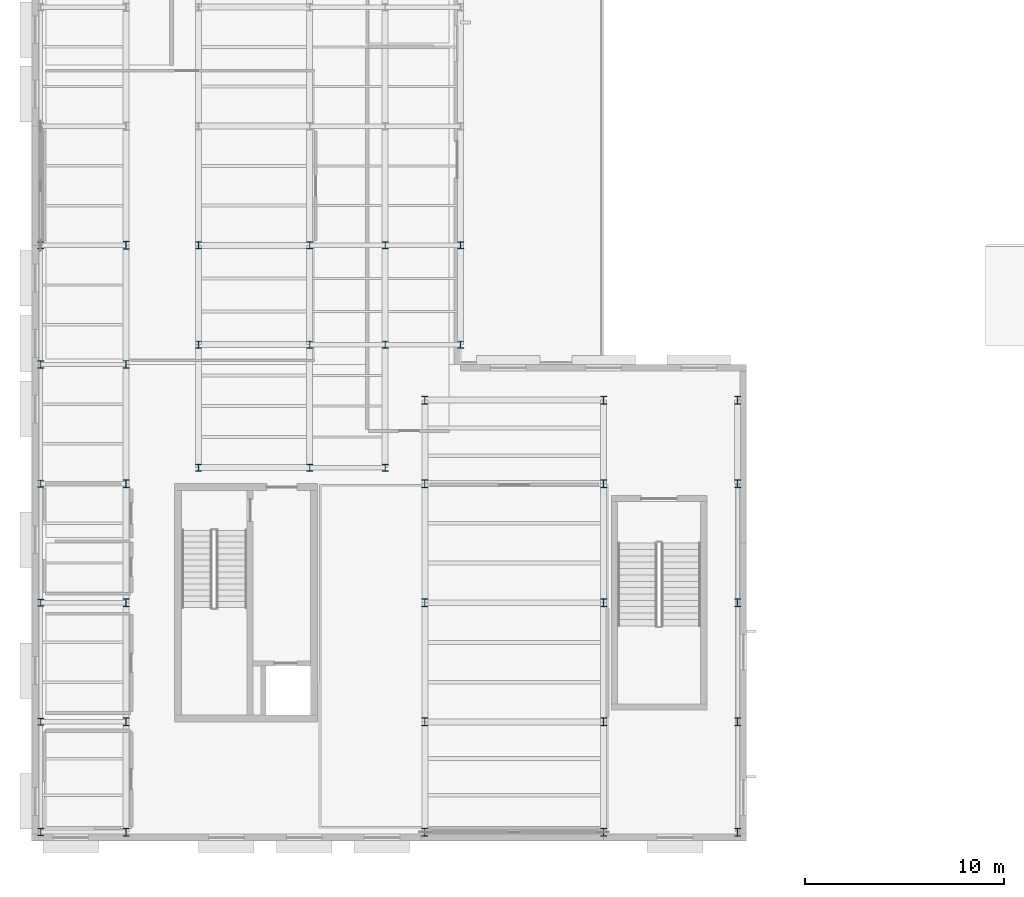
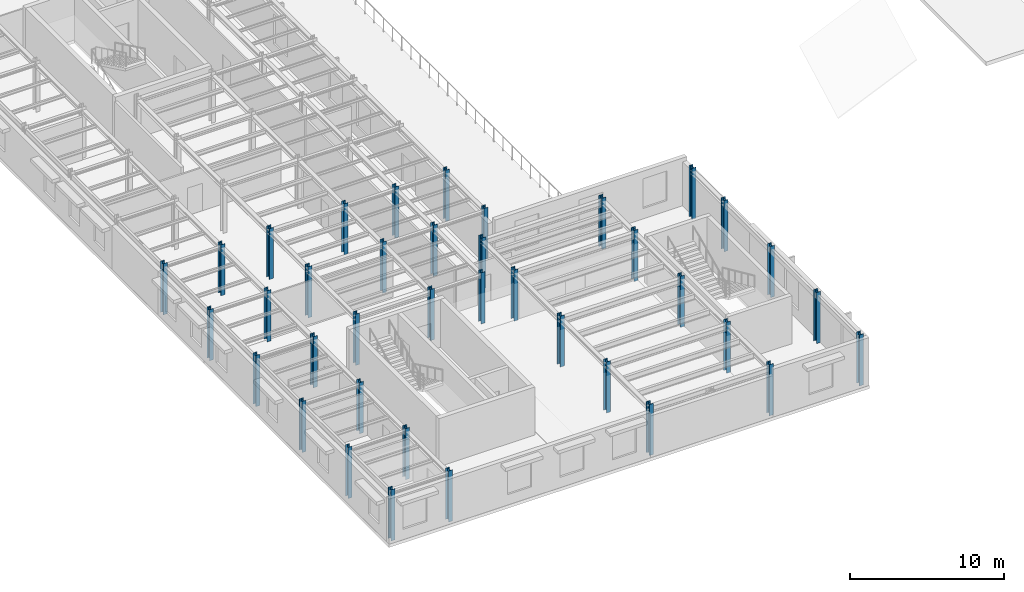
# One storey, part 1 of 13: 38 columns.
"""IFC4 building model written with IfcOpenShell, lengths in metres."""

from ifc_helpers import new_model, si_unit, direction, frame, origin, origin_2d, place, context, subcontext, project, spatial, i_section, extrude, material, material_profile, profile_set, type_object, element, save


model = new_model("IFC4")

# Units and contexts
model_context = context("Model", 3, precision=1e-05, world=origin(), true_north=direction((0.0, 1.0)))
body_context = subcontext(model_context, "Body", "Model", "MODEL_VIEW")
ifc_project = project(units=[si_unit("LENGTHUNIT", "METRE"), si_unit("AREAUNIT", "SQUARE_METRE"), si_unit("VOLUMEUNIT", "CUBIC_METRE"), si_unit("PLANEANGLEUNIT", "RADIAN"), si_unit("MASSUNIT", "GRAM", prefix="KILO")], contexts=[model_context])

# Site, building, storey
site_placement = place(None, origin())
site = spatial("IfcSite", under=ifc_project, at=site_placement, CompositionType="ELEMENT")
building_placement = place(site_placement, origin())
building = spatial("IfcBuilding", under=site, at=building_placement, Name="Kolvaren Corner Interchange", CompositionType="ELEMENT")
storey_placement = place(building_placement, frame((0.0, 0.0, 14.699951171875)))
storey = spatial("IfcBuildingStorey", under=building, at=storey_placement, Name="L04", CompositionType="ELEMENT", Elevation=14.699951171875)

# Columns
ifc_material_1 = material(Name="Steel S355", Category="steel")
ifc_material_profile_1 = material_profile(ifc_material_1, i_section(OverallWidth=0.300048828125, OverallDepth=0.360107421875, WebThickness=0.012451171875, FlangeThickness=0.0224609375, FilletRadius=0.027099609375, at=origin_2d()), Name="HEB 360")
ifc_profile_set_1 = profile_set([ifc_material_profile_1], Name="Steel S355")
column_type_1 = type_object("IfcColumnType", Name="COL-HEB360", PredefinedType="COLUMN", material=ifc_profile_set_1)
for number, where, z_axis, x_axis, name in (
    (1, (0.449951171875, 0.449951171875, 0.0), (0.0, 0.0, 1.0), (1.0, 0.0, 0.0), "Storey L04 Structural Column 0004"),
    (2, (0.449951171875, 6.0, 0.0), (0.0, 0.0, 1.0), (1.0, 0.0, 0.0), "Storey L04 Structural Column 0009"),
    (3, (0.449951171875, 12.0, 0.0), (0.0, 0.0, 1.0), (1.0, 0.0, 0.0), "Storey L04 Structural Column 0014"),
    (4, (0.449951171875, 18.0, 0.0), (0.0, 0.0, 1.0), (1.0, 0.0, 0.0), "Storey L04 Structural Column 0019"),
    (5, (0.449951171875, 24.0, 0.0), (0.0, 0.0, 1.0), (1.0, 0.0, 0.0), "Storey L04 Structural Column 0024"),
    (6, (0.449951171875, 30.0, 0.0), (0.0, 0.0, 1.0), (1.0, 0.0, 0.0), "Storey L04 Structural Column 0029"),
    (7, (8.39990234375, 18.800048828125, 0.0), (0.0, 0.0, 1.0), (1.0, 0.0, 0.0), "Storey L04 Structural Column 0216"),
    (8, (8.39990234375, 25.0, 0.0), (0.0, 0.0, 1.0), (1.0, 0.0, 0.0), "Storey L04 Structural Column 0222"),
    (9, (8.39990234375, 30.0, 0.0), (0.0, 0.0, 1.0), (1.0, 0.0, 0.0), "Storey L04 Structural Column 0228"),
    (10, (14.0, 18.800048828125, 0.0), (0.0, 0.0, 1.0), (1.0, 0.0, 0.0), "Storey L04 Structural Column 0252"),
    (11, (14.0, 25.0, 0.0), (0.0, 0.0, 1.0), (1.0, 0.0, 0.0), "Storey L04 Structural Column 0258"),
    (12, (14.0, 30.0, 0.0), (0.0, 0.0, 1.0), (1.0, 0.0, 0.0), "Storey L04 Structural Column 0264"),
    (13, (17.800048828125, 18.800048828125, 0.0), (0.0, 0.0, 1.0), (1.0, 0.0, 0.0), "Storey L04 Structural Column 0288"),
    (14, (17.800048828125, 25.0, 0.0), (0.0, 0.0, 1.0), (1.0, 0.0, 0.0), "Storey L04 Structural Column 0294"),
    (15, (17.800048828125, 30.0, 0.0), (0.0, 0.0, 1.0), (1.0, 0.0, 0.0), "Storey L04 Structural Column 0300"),
    (16, (21.60009765625, 25.0, 0.0), (0.0, 0.0, 1.0), (1.0, 0.0, 0.0), "Storey L04 Structural Column 0335"),
    (17, (21.60009765625, 30.0, 0.0), (0.0, 0.0, 1.0), (1.0, 0.0, 0.0), "Storey L04 Structural Column 0341"),
):
    element("IfcColumn", number, at=place(storey_placement, frame(where, z_axis=z_axis, x_axis=x_axis)), inside=storey, type_object=column_type_1, Name=name, PredefinedType="COLUMN", context=body_context, shape_type="SweptSolid", body=[
        extrude(i_section(OverallWidth=0.300048828125, OverallDepth=0.360107421875, WebThickness=0.012451171875, FlangeThickness=0.0224609375, FilletRadius=0.027099609375, at=origin_2d()), origin(), (0.0, 0.0, 1.0), 4.050048828125),
    ])
ifc_material_2 = material(Name="Steel S355", Category="steel")
ifc_material_profile_2 = material_profile(ifc_material_2, i_section(OverallWidth=0.300048828125, OverallDepth=0.39990234375, WebThickness=0.013427734375, FlangeThickness=0.02392578125, FilletRadius=0.027099609375, at=origin_2d()), Name="HEB 400")
ifc_profile_set_2 = profile_set([ifc_material_profile_2], Name="Steel S355")
column_type_2 = type_object("IfcColumnType", Name="COL-HEB400", PredefinedType="COLUMN", material=ifc_profile_set_2)
for number, where, z_axis, x_axis, name in (
    (18, (4.75, 0.449951171875, 0.0), (0.0, 0.0, 1.0), (1.0, 0.0, 0.0), "Storey L04 Structural Column 0072"),
    (19, (4.75, 6.0, 0.0), (0.0, 0.0, 1.0), (1.0, 0.0, 0.0), "Storey L04 Structural Column 0077"),
    (20, (4.75, 12.0, 0.0), (0.0, 0.0, 1.0), (1.0, 0.0, 0.0), "Storey L04 Structural Column 0082"),
    (21, (4.75, 18.0, 0.0), (0.0, 0.0, 1.0), (1.0, 0.0, 0.0), "Storey L04 Structural Column 0087"),
    (22, (4.75, 24.0, 0.0), (0.0, 0.0, 1.0), (1.0, 0.0, 0.0), "Storey L04 Structural Column 0092"),
    (23, (4.75, 30.0, 0.0), (0.0, 0.0, 1.0), (1.0, 0.0, 0.0), "Storey L04 Structural Column 0097"),
    (24, (19.800048828125, 0.449951171875, 0.0), (0.0, 0.0, 1.0), (1.0, 0.0, 0.0), "Storey L04 Structural Column 0140"),
    (25, (19.800048828125, 6.0, 0.0), (0.0, 0.0, 1.0), (1.0, 0.0, 0.0), "Storey L04 Structural Column 0145"),
    (26, (19.800048828125, 12.0, 0.0), (0.0, 0.0, 1.0), (1.0, 0.0, 0.0), "Storey L04 Structural Column 0150"),
    (27, (19.800048828125, 18.0, 0.0), (0.0, 0.0, 1.0), (1.0, 0.0, 0.0), "Storey L04 Structural Column 0155"),
    (28, (19.800048828125, 22.199951171875, 0.0), (0.0, 0.0, 1.0), (1.0, 0.0, 0.0), "Storey L04 Structural Column 0160"),
    (29, (28.800048828125, 0.449951171875, 0.0), (0.0, 0.0, 1.0), (1.0, 0.0, 0.0), "Storey L04 Structural Column 0165"),
    (30, (28.800048828125, 6.0, 0.0), (0.0, 0.0, 1.0), (1.0, 0.0, 0.0), "Storey L04 Structural Column 0170"),
    (31, (28.800048828125, 12.0, 0.0), (0.0, 0.0, 1.0), (1.0, 0.0, 0.0), "Storey L04 Structural Column 0175"),
    (32, (28.800048828125, 18.0, 0.0), (0.0, 0.0, 1.0), (1.0, 0.0, 0.0), "Storey L04 Structural Column 0180"),
    (33, (28.800048828125, 22.199951171875, 0.0), (0.0, 0.0, 1.0), (1.0, 0.0, 0.0), "Storey L04 Structural Column 0185"),
    (34, (35.550048828125, 0.449951171875, 0.0), (0.0, 0.0, 1.0), (1.0, 0.0, 0.0), "Storey L04 Structural Column 0190"),
    (35, (35.550048828125, 6.0, 0.0), (0.0, 0.0, 1.0), (1.0, 0.0, 0.0), "Storey L04 Structural Column 0195"),
    (36, (35.550048828125, 12.0, 0.0), (0.0, 0.0, 1.0), (1.0, 0.0, 0.0), "Storey L04 Structural Column 0200"),
    (37, (35.550048828125, 18.0, 0.0), (0.0, 0.0, 1.0), (1.0, 0.0, 0.0), "Storey L04 Structural Column 0205"),
    (38, (35.550048828125, 22.199951171875, 0.0), (0.0, 0.0, 1.0), (1.0, 0.0, 0.0), "Storey L04 Structural Column 0210"),
):
    element("IfcColumn", number, at=place(storey_placement, frame(where, z_axis=z_axis, x_axis=x_axis)), inside=storey, type_object=column_type_2, Name=name, PredefinedType="COLUMN", context=body_context, shape_type="SweptSolid", body=[
        extrude(i_section(OverallWidth=0.300048828125, OverallDepth=0.39990234375, WebThickness=0.013427734375, FlangeThickness=0.02392578125, FilletRadius=0.027099609375, at=origin_2d()), origin(), (0.0, 0.0, 1.0), 4.050048828125),
    ])

save(model, "model.ifc")
